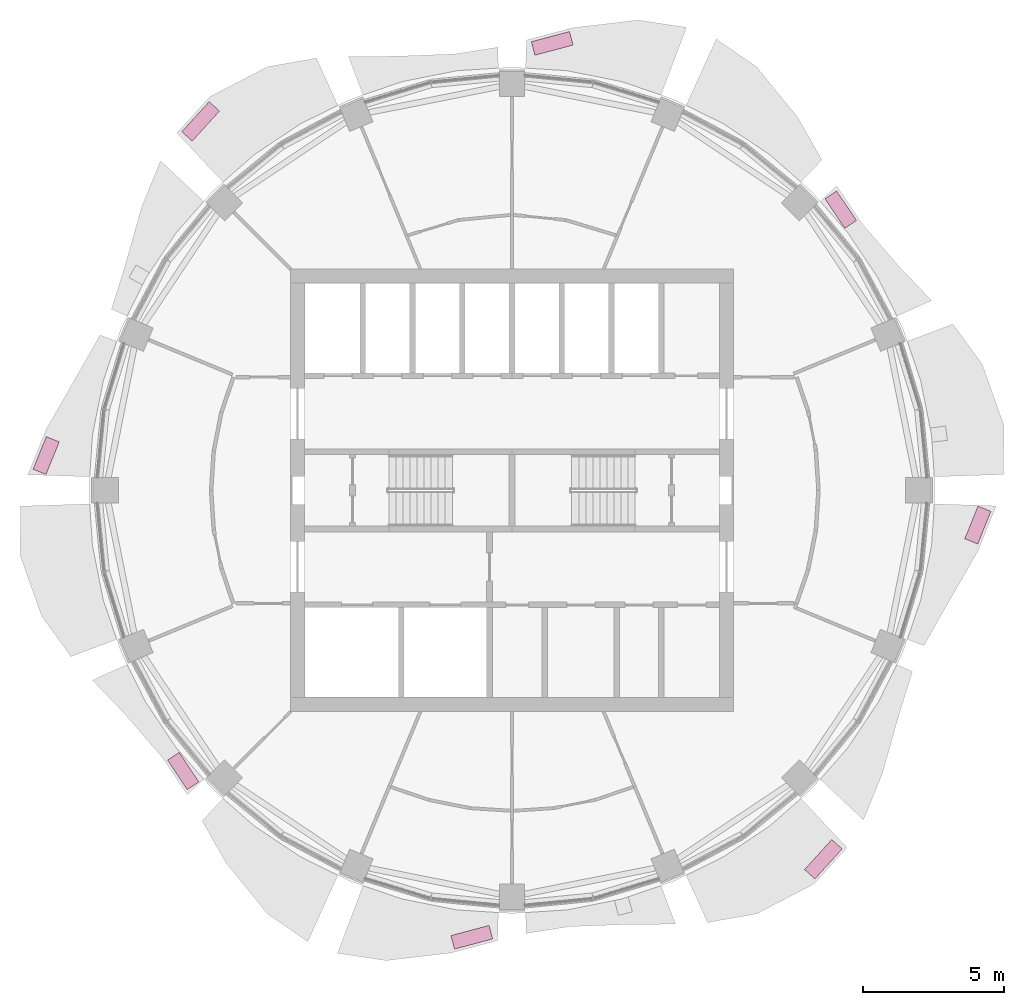
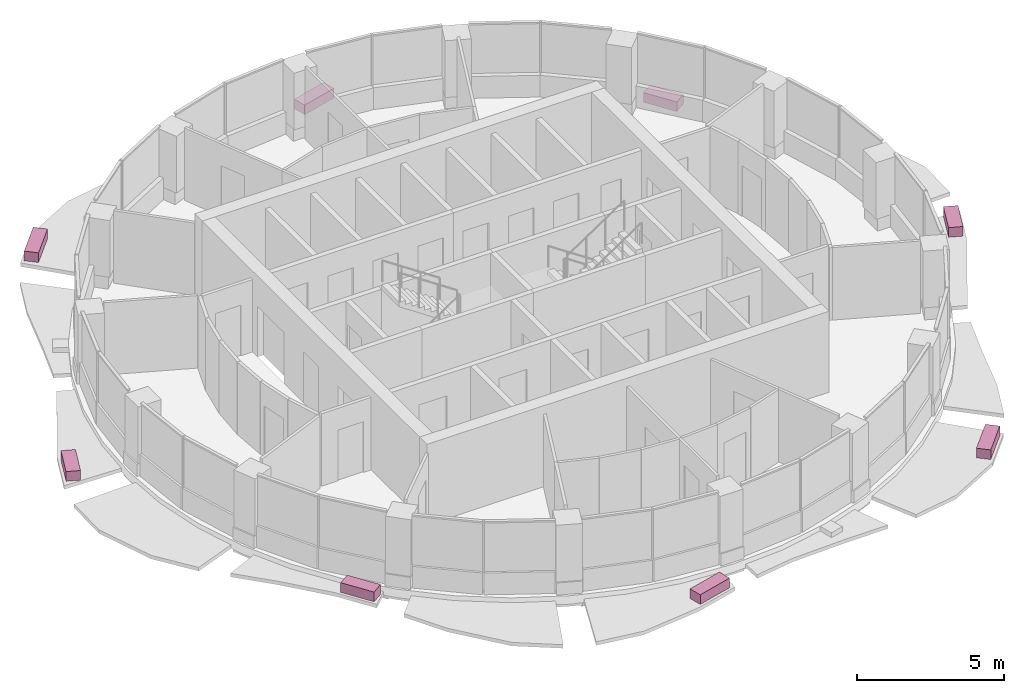
# One storey, part 14 of 14: 8 furniture elements.
"""IFC4 building model written with IfcOpenShell, lengths in metres."""

from ifc_helpers import new_model, si_unit, direction, frame, origin, origin_2d, place, context, subcontext, project, spatial, rectangle, extrude, material, type_object, element, save


model = new_model("IFC4")

# Units and contexts
model_context = context("Model", 3, precision=1e-05, world=origin(), true_north=direction((0.0, 1.0)))
body_context = subcontext(model_context, "Body", "Model", "MODEL_VIEW")
ifc_project = project(units=[si_unit("LENGTHUNIT", "METRE"), si_unit("AREAUNIT", "SQUARE_METRE"), si_unit("VOLUMEUNIT", "CUBIC_METRE"), si_unit("PLANEANGLEUNIT", "RADIAN"), si_unit("MASSUNIT", "GRAM", prefix="KILO")], contexts=[model_context])

# Site, building, storey
site_placement = place(None, origin())
site = spatial("IfcSite", under=ifc_project, at=site_placement, CompositionType="ELEMENT")
building_placement = place(site_placement, origin())
building = spatial("IfcBuilding", under=site, at=building_placement, Name="Polderwave Tower", CompositionType="ELEMENT")
storey_placement = place(building_placement, frame((0.0, 0.0, 227.85009765625)))
storey = spatial("IfcBuildingStorey", under=building, at=storey_placement, Name="L62", CompositionType="ELEMENT", Elevation=227.85009765625)

# Furniture
ifc_material = material(Name="Terracotta", Category="masonry")
furniture_type = type_object("IfcFurnitureType", Name="Terracotta planting trough", AssemblyPlace="NOTDEFINED", PredefinedType="USERDEFINED", material=ifc_material)
furniture_1_placement = place(storey_placement, frame((11.691162109375, 9.98291015625, -0.199951171875), z_axis=(0.0, 0.0, 1.0), x_axis=(-0.556598699857, 0.83078149192, 0.0)))
element("IfcFurniture", 1, at=furniture_1_placement, inside=storey, type_object=furniture_type, Name="Planting trough L62 2", ObjectType="PLANTER", PredefinedType="USERDEFINED", context=body_context, shape_type="SweptSolid", body=[
    extrude(rectangle(XDim=1.26416015625, YDim=0.5, at=origin_2d()), origin(), (0.0, 0.0, 1.0), 0.39990234375),
])
furniture_2_placement = place(storey_placement, frame((1.43017578125, 15.894775390625, -0.199951171875), z_axis=(0.0, 0.0, 1.0), x_axis=(-0.9665253603, -0.25657109716, 0.0)))
element("IfcFurniture", 2, at=furniture_2_placement, inside=storey, type_object=furniture_type, Name="Planting trough L62 4", ObjectType="PLANTER", PredefinedType="USERDEFINED", context=body_context, shape_type="SweptSolid", body=[
    extrude(rectangle(XDim=1.408447265625, YDim=0.5, at=origin_2d()), origin(), (0.0, 0.0, 1.0), 0.39990234375),
])
furniture_3_placement = place(storey_placement, frame((-11.07177734375, 13.1201171875, -0.199951171875), z_axis=(0.0, 0.0, 1.0), x_axis=(-0.672569614313, -0.740033859971, 0.0)))
element("IfcFurniture", 3, at=furniture_3_placement, inside=storey, type_object=furniture_type, Name="Planting trough L62 6", ObjectType="PLANTER", PredefinedType="USERDEFINED", context=body_context, shape_type="SweptSolid", body=[
    extrude(rectangle(XDim=1.44580078125, YDim=0.5, at=origin_2d()), origin(), (0.0, 0.0, 1.0), 0.39990234375),
])
furniture_4_placement = place(storey_placement, frame((-16.5673828125, 1.23583984375, -0.199951171875), z_axis=(0.0, 0.0, 1.0), x_axis=(-0.375066127851, -0.926998058109, 0.0)))
element("IfcFurniture", 4, at=furniture_4_placement, inside=storey, type_object=furniture_type, Name="Planting trough L62 8", ObjectType="PLANTER", PredefinedType="USERDEFINED", context=body_context, shape_type="SweptSolid", body=[
    extrude(rectangle(XDim=1.255126953125, YDim=0.5, at=origin_2d()), origin(), (0.0, 0.0, 1.0), 0.39990234375),
])
furniture_5_placement = place(storey_placement, frame((-11.691162109375, -9.98291015625, -0.199951171875), z_axis=(0.0, 0.0, 1.0), x_axis=(0.556598699857, -0.83078149192, 0.0)))
element("IfcFurniture", 5, at=furniture_5_placement, inside=storey, type_object=furniture_type, Name="Planting trough L62 10", ObjectType="PLANTER", PredefinedType="USERDEFINED", context=body_context, shape_type="SweptSolid", body=[
    extrude(rectangle(XDim=1.26416015625, YDim=0.5, at=origin_2d()), origin(), (0.0, 0.0, 1.0), 0.39990234375),
])
furniture_6_placement = place(storey_placement, frame((-1.43017578125, -15.894775390625, -0.199951171875), z_axis=(0.0, 0.0, 1.0), x_axis=(0.9665253603, 0.25657109716, 0.0)))
element("IfcFurniture", 6, at=furniture_6_placement, inside=storey, type_object=furniture_type, Name="Planting trough L62 12", ObjectType="PLANTER", PredefinedType="USERDEFINED", context=body_context, shape_type="SweptSolid", body=[
    extrude(rectangle(XDim=1.408447265625, YDim=0.5, at=origin_2d()), origin(), (0.0, 0.0, 1.0), 0.39990234375),
])
furniture_7_placement = place(storey_placement, frame((11.07177734375, -13.1201171875, -0.199951171875), z_axis=(0.0, 0.0, 1.0), x_axis=(0.672569614313, 0.740033859971, 0.0)))
element("IfcFurniture", 7, at=furniture_7_placement, inside=storey, type_object=furniture_type, Name="Planting trough L62 14", ObjectType="PLANTER", PredefinedType="USERDEFINED", context=body_context, shape_type="SweptSolid", body=[
    extrude(rectangle(XDim=1.44580078125, YDim=0.5, at=origin_2d()), origin(), (0.0, 0.0, 1.0), 0.39990234375),
])
furniture_8_placement = place(storey_placement, frame((16.5673828125, -1.23583984375, -0.199951171875), z_axis=(0.0, 0.0, 1.0), x_axis=(0.375066127851, 0.926998058109, 0.0)))
element("IfcFurniture", 8, at=furniture_8_placement, inside=storey, type_object=furniture_type, Name="Planting trough L62 16", ObjectType="PLANTER", PredefinedType="USERDEFINED", context=body_context, shape_type="SweptSolid", body=[
    extrude(rectangle(XDim=1.255126953125, YDim=0.5, at=origin_2d()), origin(), (0.0, 0.0, 1.0), 0.39990234375),
])

save(model, "model.ifc")
